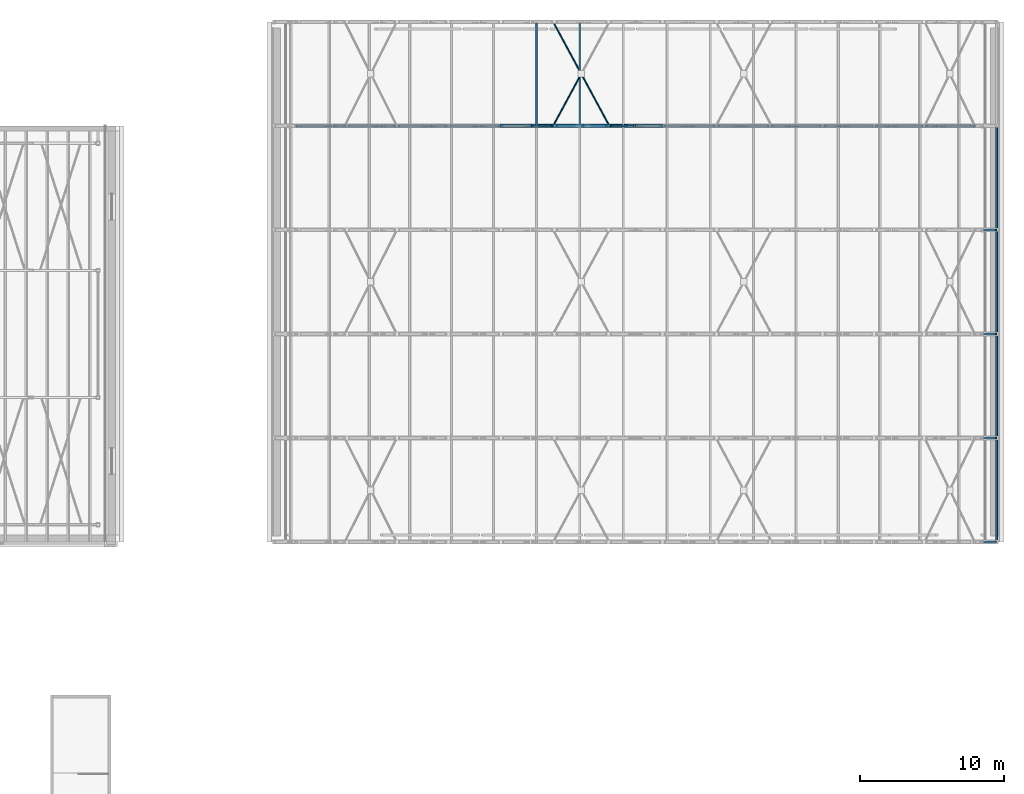
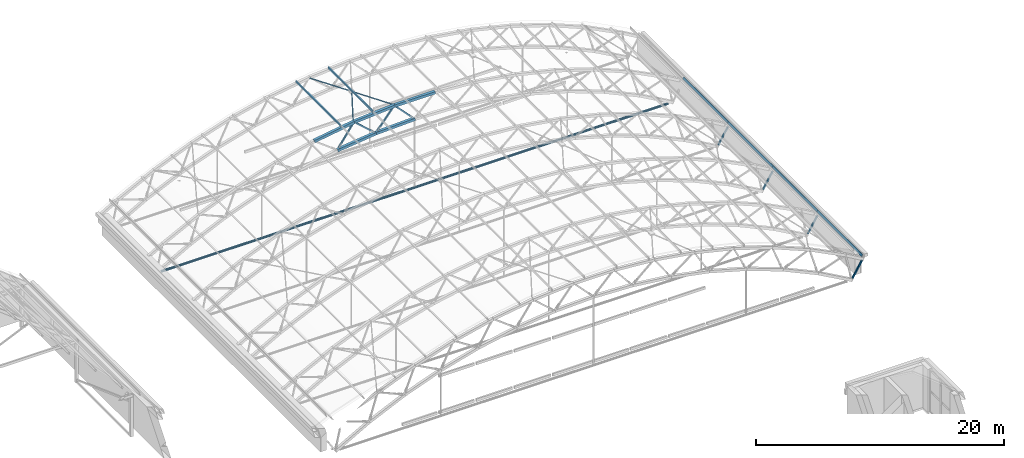
# One storey, part 62 of 127: 22 members.
"""IFC4 building model written with IfcOpenShell, lengths in metres."""

import ifcopenshell
import ifcopenshell.guid

model = None  # the IFC model being written
_history = None  # IfcOwnerHistory: only IFC2X3 demands one
_inside = {}  # id of a spatial element -> (the spatial element, [elements in it])
_under = {}  # id of a project, library or spatial element -> (it, [spatial elements below it])
_declared = {}  # id of a project -> (the project, [libraries it declares])
_typed = {}  # id of a type object -> (the type object, [elements of that type])
_made_of = {}  # id of a material, layer set ... -> (it, [elements and type objects made of it])


def new_model(schema):
    """Start an empty IFC model of exactly this schema.

    Asked for "IFC4X3", IfcOpenShell would pick the latest addendum, in which some entities
    have other attributes; the version numbers below select the first issue.
    IFC2X3 requires an IfcOwnerHistory on every rooted entity: one is made here for all.
    """
    global model, _history
    if schema == "IFC4X3":
        model = ifcopenshell.file(schema_version=(4, 3, 0, 0))
    else:
        model = ifcopenshell.file(schema=schema)
    _inside.clear()
    _under.clear()
    _declared.clear()
    _typed.clear()
    _made_of.clear()
    _history = None
    if model.schema == "IFC2X3":
        org = make("IfcOrganization", Name="unknown")
        user = make(
            "IfcPersonAndOrganization",
            ThePerson=make("IfcPerson", FamilyName="unknown"),
            TheOrganization=org,
        )
        app = make(
            "IfcApplication",
            ApplicationDeveloper=org,
            Version="unknown",
            ApplicationFullName="unknown",
            ApplicationIdentifier="unknown",
        )
        _history = make(
            "IfcOwnerHistory",
            OwningUser=user,
            OwningApplication=app,
            ChangeAction="ADDED",
            CreationDate=0,
        )
    return model


def make(cls, **values):
    """One entity of the class cls with the attributes given. An attribute that is None is left unset."""
    return model.create_entity(
        cls, **{name: value for name, value in values.items() if value is not None}
    )


def rooted(cls, **values):
    """An entity with a GlobalId (a new one), such as an element, a storey or a relation."""
    return make(cls, GlobalId=ifcopenshell.guid.new(), OwnerHistory=_history, **values)


def si_unit(unit_type, name, prefix=None):
    """IfcSIUnit, for example si_unit("LENGTHUNIT", "METRE", prefix="MILLI")."""
    return make("IfcSIUnit", UnitType=unit_type, Prefix=prefix, Name=name)


def assignment(units):
    """IfcUnitAssignment: the units of a project."""
    return None if units is None else make("IfcUnitAssignment", Units=units)


def point(xyz):
    """IfcCartesianPoint."""
    return None if xyz is None else make("IfcCartesianPoint", Coordinates=xyz)


def direction(xyz):
    """IfcDirection."""
    return None if xyz is None else make("IfcDirection", DirectionRatios=xyz)


def frame(location, z_axis=None, x_axis=None):
    """IfcAxis2Placement3D, a coordinate frame: its origin and axes. An axis left out is left unset."""
    return make(
        "IfcAxis2Placement3D",
        Location=point(location),
        Axis=direction(z_axis),
        RefDirection=direction(x_axis),
    )


def frame_2d(location, x_axis=None):
    """IfcAxis2Placement2D, a coordinate frame in the plane: its origin and x axis."""
    return make(
        "IfcAxis2Placement2D", Location=point(location), RefDirection=direction(x_axis)
    )


def origin():
    """The frame at (0, 0, 0) with its axes left unset."""
    return frame((0.0, 0.0, 0.0))


def origin_2d():
    """The frame at (0, 0) in the plane with its x axis left unset."""
    return frame_2d((0.0, 0.0))


def place(relative_to, where):
    """IfcLocalPlacement: puts the frame where relative to a parent placement (None: the world)."""
    return make(
        "IfcLocalPlacement", PlacementRelTo=relative_to, RelativePlacement=where
    )


def context(
    kind, dimensions, precision=None, world=None, true_north=None, identifier=None
):
    """IfcGeometricRepresentationContext, for example the 3D "Model" context."""
    return make(
        "IfcGeometricRepresentationContext",
        ContextIdentifier=identifier,
        ContextType=kind,
        CoordinateSpaceDimension=dimensions,
        Precision=precision,
        WorldCoordinateSystem=world,
        TrueNorth=true_north,
    )


def subcontext(parent, identifier, kind, view, scale=None):
    """IfcGeometricRepresentationSubContext, for example "Body" below "Model"."""
    return make(
        "IfcGeometricRepresentationSubContext",
        ContextIdentifier=identifier,
        ContextType=kind,
        ParentContext=parent,
        TargetScale=scale,
        TargetView=view,
    )


def project(units=None, contexts=None):
    """IfcProject with its units and contexts."""
    return rooted(
        "IfcProject",
        Name="project",
        RepresentationContexts=contexts,
        UnitsInContext=assignment(units),
    )


def spatial(cls, under=None, at=None, **own):
    """A site, building, storey or space (cls), placed at a placement, below another one or the project."""
    s = rooted(cls, ObjectPlacement=at, **own)
    if under is not None:
        _under.setdefault(under.id(), (under, []))[1].append(s)
    return s


def profile(cls, at=None, kind="AREA", **sizes):
    """A parametric profile (cls). Its sizes go by their IFC names, for example OverallWidth=200.0."""
    return make(cls, ProfileType=kind, Position=at, **sizes)


def hollow_rectangle(**sizes):
    """IfcRectangleHollowProfileDef."""
    return profile("IfcRectangleHollowProfileDef", **sizes)


def hollow_circle(**sizes):
    """IfcCircleHollowProfileDef."""
    return profile("IfcCircleHollowProfileDef", **sizes)


def extrude(swept, where, along, depth):
    """IfcExtrudedAreaSolid: the profile swept, set in the frame where, extruded along a direction by depth."""
    return make(
        "IfcExtrudedAreaSolid",
        SweptArea=swept,
        Position=where,
        ExtrudedDirection=direction(along),
        Depth=depth,
    )


def shape(context_of_items, identifier, shape_type, items):
    """IfcShapeRepresentation: the items that make up one representation, for example the "Body"."""
    return make(
        "IfcShapeRepresentation",
        ContextOfItems=context_of_items,
        RepresentationIdentifier=identifier,
        RepresentationType=shape_type,
        Items=items,
    )


def material(Name=None, Category=None):
    """IfcMaterial."""
    return make("IfcMaterial", Name=Name, Category=Category)


def material_profile(
    of_material, cross_section, Name=None, Category=None, Priority=None
):
    """IfcMaterialProfile: a cross section and its material."""
    return make(
        "IfcMaterialProfile",
        Name=Name,
        Material=of_material,
        Profile=cross_section,
        Priority=Priority,
        Category=Category,
    )


def profile_set(profiles, Name=None, composite=None):
    """IfcMaterialProfileSet."""
    return make(
        "IfcMaterialProfileSet",
        Name=Name,
        MaterialProfiles=profiles,
        CompositeProfile=composite,
    )


def made_of(thing, what):
    """Note that an element or type object is made of a material, layer set ...; save() writes the relation."""
    if what is not None:
        _made_of.setdefault(what.id(), (what, []))[1].append(thing)
    return thing


def type_object(cls, material=None, **own):
    """A type object (cls), such as IfcWallType, which elements share."""
    return made_of(rooted(cls, **own), material)


def element(
    cls,
    number,
    at=None,
    inside=None,
    cuts=None,
    type_object=None,
    material=None,
    context=None,
    identifier="Body",
    shape_type=None,
    held_by="IfcProductDefinitionShape",
    body=None,
    shapes=None,
    **own,
):
    """One element of the class cls, such as IfcWall. Its Tag is "e" and its number.

    at: its placement. inside: the storey or other place that contains it. cuts: it is an
    opening in that element (IfcRelVoidsElement). A single representation is given by context,
    identifier, shape_type and body (its items); several are given by shapes. held_by: the class
    of the entity that holds the representations. save() writes the other relations.
    """
    e = rooted(cls, Tag="e%d" % number, ObjectPlacement=at, **own)
    if body is not None:
        shapes = [shape(context, identifier, shape_type, body)]
    if shapes is not None:
        e.Representation = make(held_by, Representations=shapes)
    if inside is not None:
        _inside.setdefault(inside.id(), (inside, []))[1].append(e)
    if cuts is not None:
        rooted(
            "IfcRelVoidsElement", RelatingBuildingElement=cuts, RelatedOpeningElement=e
        )
    if type_object is not None:
        _typed.setdefault(type_object.id(), (type_object, []))[1].append(e)
    return made_of(e, material)


def aggregate(whole, parts):
    """IfcRelAggregates: a whole, such as a stair, and the parts it consists of."""
    return rooted("IfcRelAggregates", RelatingObject=whole, RelatedObjects=parts)


def save(model, path):
    """Write the relations noted so far, then the file.

    IfcRelAggregates (storeys below a building ...), IfcRelContainedInSpatialStructure (elements
    in a storey), IfcRelDefinesByType, IfcRelAssociatesMaterial and IfcRelDeclares: one each for
    every whole, place, type object, material and project.
    """
    for whole, parts in _under.values():
        aggregate(whole, parts)
    for where, things in _inside.values():
        rooted(
            "IfcRelContainedInSpatialStructure",
            RelatedElements=things,
            RelatingStructure=where,
        )
    for kind, things in _typed.values():
        rooted("IfcRelDefinesByType", RelatedObjects=things, RelatingType=kind)
    for what, things in _made_of.values():
        rooted("IfcRelAssociatesMaterial", RelatedObjects=things, RelatingMaterial=what)
    for by, libraries in _declared.values():
        rooted("IfcRelDeclares", RelatingContext=by, RelatedDefinitions=libraries)
    model.write(path)


model = new_model("IFC4")

# Units and contexts
model_context = context("Model", 3, precision=1e-05, world=origin(), true_north=direction((0.0, 1.0)))
body_context = subcontext(model_context, "Body", "Model", "MODEL_VIEW")
ifc_project = project(units=[si_unit("LENGTHUNIT", "METRE"), si_unit("AREAUNIT", "SQUARE_METRE"), si_unit("VOLUMEUNIT", "CUBIC_METRE"), si_unit("PLANEANGLEUNIT", "RADIAN"), si_unit("MASSUNIT", "GRAM", prefix="KILO")], contexts=[model_context])

# Site, building, storey
site_placement = place(None, origin())
site = spatial("IfcSite", under=ifc_project, at=site_placement, CompositionType="ELEMENT")
building_placement = place(site_placement, origin())
building = spatial("IfcBuilding", under=site, at=building_placement, Name="Verrick Yard Athletic Hall", CompositionType="ELEMENT")
storey_placement = place(building_placement, frame((0.0, 0.0, 14.0)))
storey = spatial("IfcBuildingStorey", under=building, at=storey_placement, Name="L03", CompositionType="ELEMENT", Elevation=14.0)

# Members
ifc_material = material(Name="Structural steel HSS Class C 350W (CSA G40.20/G40.21)", Category="steel")
ifc_material_profile_1 = material_profile(ifc_material, hollow_rectangle(XDim=0.25390625, YDim=0.25390625, WallThickness=0.009521484375, at=origin_2d()), Name="HSS254x254x9.5")
ifc_profile_set_1 = profile_set([ifc_material_profile_1], Name="Structural steel HSS Class C 350W (CSA G40.20/G40.21)")
member_type_1 = type_object("IfcMemberType", Name="HB bottom chord HSS254x254x9.5", PredefinedType="CHORD", material=ifc_profile_set_1)
member_1_placement = place(storey_placement, frame((138.42041015625, 100.800048828125, 6.193359375), z_axis=(0.993094882284, 0.0, 0.117313915545), x_axis=(0.0, 1.0, 0.0)))
element("IfcMember", 1, at=member_1_placement, inside=storey, type_object=member_type_1, Name="Truss TA5 bottom chord 6", PredefinedType="CHORD", context=body_context, shape_type="SweptSolid", body=[
    extrude(hollow_rectangle(XDim=0.25390625, YDim=0.25390625, WallThickness=0.009521484375, at=origin_2d()), origin(), (0.0, 0.0, 1.0), 3.59619140625),
])
member_2_placement = place(storey_placement, frame((142.001708984375, 100.800048828125, 6.615966796875), z_axis=(0.999229759959, 0.0, 0.039241391579), x_axis=(0.0, 1.0, 0.0)))
element("IfcMember", 2, at=member_2_placement, inside=storey, type_object=member_type_1, Name="Truss TA5 bottom chord 7", PredefinedType="CHORD", context=body_context, shape_type="SweptSolid", body=[
    extrude(hollow_rectangle(XDim=0.25390625, YDim=0.25390625, WallThickness=0.009521484375, at=origin_2d()), origin(), (0.0, 0.0, 1.0), 3.595947265625),
])
ifc_material_profile_2 = material_profile(ifc_material, hollow_rectangle(XDim=0.1015625, YDim=0.203125, WallThickness=0.009521484375, at=origin_2d()), Name="HSS203x102x9.5")
ifc_profile_set_2 = profile_set([ifc_material_profile_2], Name="Structural steel HSS Class C 350W (CSA G40.20/G40.21)")
member_type_2 = type_object("IfcMemberType", Name="HB purlin HSS203x102x9.5", PredefinedType="PURLIN", material=ifc_profile_set_2)
for number, where, z_axis, x_axis, name in (
    (3, (170.60302734375, 72.0, 1.99462890625), (0.0, 1.0, 0.0), (-0.86316809178, 0.0, 0.504916671673), "HB-PU-A-1-18"),
    (4, (170.60302734375, 79.199951171875, 1.99462890625), (0.0, 1.0, 0.0), (-0.86316809178, 0.0, 0.504916671673), "HB-PU-A-2-18"),
):
    element("IfcMember", number, at=place(storey_placement, frame(where, z_axis=z_axis, x_axis=x_axis)), inside=storey, type_object=member_type_2, Name=name, PredefinedType="PURLIN", context=body_context, shape_type="SweptSolid", body=[
        extrude(hollow_rectangle(XDim=0.1015625, YDim=0.203125, WallThickness=0.009521484375, at=origin_2d()), origin(), (0.0, 0.0, 1.0), 7.199951171875),
    ])
member_3_placement = place(storey_placement, frame((170.60302734375, 86.39990234375, 1.99462890625), z_axis=(0.0, 1.0, 0.0), x_axis=(-0.86316809178, 0.0, 0.504916671673)))
element("IfcMember", 5, at=member_3_placement, inside=storey, type_object=member_type_2, Name="HB-PU-A-3-18", PredefinedType="PURLIN", context=body_context, shape_type="SweptSolid", body=[
    extrude(hollow_rectangle(XDim=0.1015625, YDim=0.203125, WallThickness=0.009521484375, at=origin_2d()), origin(), (0.0, 0.0, 1.0), 7.2001953125),
])
for number, where, z_axis, x_axis, name in (
    (6, (170.60302734375, 93.60009765625, 1.99462890625), (0.0, 1.0, 0.0), (-0.86316809178, 0.0, 0.504916671673), "HB-PU-A-4-18"),
    (7, (138.750244140625, 100.800048828125, 8.464599609375), (0.0, 1.0, 0.0), (-0.987728086354, 0.0, -0.156183313539), "HB-PU-A-5-7"),
    (8, (141.747802734375, 100.800048828125, 8.794677734375), (0.0, 1.0, 0.0), (-0.996927304266, 0.0, -0.078332305011), "HB-PU-A-5-8"),
):
    element("IfcMember", number, at=place(storey_placement, frame(where, z_axis=z_axis, x_axis=x_axis)), inside=storey, type_object=member_type_2, Name=name, PredefinedType="PURLIN", context=body_context, shape_type="SweptSolid", body=[
        extrude(hollow_rectangle(XDim=0.1015625, YDim=0.203125, WallThickness=0.009521484375, at=origin_2d()), origin(), (0.0, 0.0, 1.0), 7.199951171875),
    ])
ifc_material_profile_3 = material_profile(ifc_material, hollow_circle(Radius=0.05712890625, WallThickness=0.00634765625, at=origin_2d()), Name="HSS114x6.4")
ifc_profile_set_3 = profile_set([ifc_material_profile_3], Name="Structural steel HSS Class C 350W (CSA G40.20/G40.21)")
member_type_3 = type_object("IfcMemberType", Name="HB roof brace HSS114x6.4", PredefinedType="BRACE", material=ifc_profile_set_3)
member_4_placement = place(storey_placement, frame((139.96728515625, 100.927001953125, 8.425537109375), z_axis=(0.474853047314, 0.879275169194, 0.037279488936), x_axis=(-0.87988679764, 0.475183357599, 0.0)))
element("IfcMember", 9, at=member_4_placement, inside=storey, type_object=member_type_3, Name="HB-BR-A-5-5b1", PredefinedType="BRACE", context=body_context, shape_type="SweptSolid", body=[
    extrude(hollow_circle(Radius=0.05712890625, WallThickness=0.00634765625, at=origin_2d()), origin(), (0.0, 0.0, 1.0), 3.84423828125),
])
member_5_placement = place(storey_placement, frame((143.718505859375, 100.927001953125, 8.72021484375), z_axis=(-0.474853160212, 0.879274146514, -0.037302164945), x_axis=(-0.879886519322, -0.475183872953, 0.0)))
element("IfcMember", 10, at=member_5_placement, inside=storey, type_object=member_type_3, Name="HB-BR-A-5-5a", PredefinedType="BRACE", context=body_context, shape_type="SweptSolid", body=[
    extrude(hollow_circle(Radius=0.05712890625, WallThickness=0.00634765625, at=origin_2d()), origin(), (0.0, 0.0, 1.0), 7.899658203125),
])
ifc_material_profile_4 = material_profile(ifc_material, hollow_circle(Radius=0.109619140625, WallThickness=0.0126953125, at=origin_2d()), Name="HSS219x13")
ifc_profile_set_4 = profile_set([ifc_material_profile_4], Name="Structural steel HSS Class C 350W (CSA G40.20/G40.21)")
member_type_4 = type_object("IfcMemberType", Name="HB tie rod HSS219x13", PredefinedType="MEMBER", material=ifc_profile_set_4)
member_6_placement = place(storey_placement, frame((122.056396484375, 100.800048828125, 0.0), z_axis=(1.0, 0.0, 0.0), x_axis=(0.0, 1.0, 0.0)))
element("IfcMember", 11, at=member_6_placement, inside=storey, type_object=member_type_4, Name="Truss TA5 tie 1", PredefinedType="MEMBER", context=body_context, shape_type="SweptSolid", body=[
    extrude(hollow_circle(Radius=0.109619140625, WallThickness=0.0126953125, at=origin_2d()), origin(), (0.0, 0.0, 1.0), 47.08740234375),
])
ifc_material_profile_5 = material_profile(ifc_material, hollow_rectangle(XDim=0.25390625, YDim=0.25390625, WallThickness=0.009521484375, at=origin_2d()), Name="HSS254x254x9.5")
ifc_profile_set_5 = profile_set([ifc_material_profile_5], Name="Structural steel HSS Class C 350W (CSA G40.20/G40.21)")
member_type_5 = type_object("IfcMemberType", Name="HB top chord HSS254x254x9.5", PredefinedType="CHORD", material=ifc_profile_set_5)
for number, where, z_axis, x_axis, name in (
    (12, (136.255615234375, 100.800048828125, 7.838623046875), (0.987726014692, 0.0, 0.156196414495), (0.0, 1.0, 0.0), "Truss TA5 top chord 6"),
    (13, (139.97216796875, 100.800048828125, 8.426025390625), (0.996928028323, 0.0, 0.078323089468), (0.0, 1.0, 0.0), "Truss TA5 top chord 7"),
):
    element("IfcMember", number, at=place(storey_placement, frame(where, z_axis=z_axis, x_axis=x_axis)), inside=storey, type_object=member_type_5, Name=name, PredefinedType="CHORD", context=body_context, shape_type="SweptSolid", body=[
        extrude(hollow_rectangle(XDim=0.25390625, YDim=0.25390625, WallThickness=0.009521484375, at=origin_2d()), origin(), (0.0, 0.0, 1.0), 3.7529296875),
    ])
member_7_placement = place(storey_placement, frame((143.7236328125, 100.800048828125, 8.72021484375), z_axis=(1.0, 0.0, 0.0), x_axis=(0.0, 1.0, 0.0)))
element("IfcMember", 14, at=member_7_placement, inside=storey, type_object=member_type_5, Name="Truss TA5 top chord 8", PredefinedType="CHORD", context=body_context, shape_type="SweptSolid", body=[
    extrude(hollow_rectangle(XDim=0.25390625, YDim=0.25390625, WallThickness=0.009521484375, at=origin_2d()), origin(), (0.0, 0.0, 1.0), 3.752685546875),
])
ifc_material_profile_6 = material_profile(ifc_material, hollow_rectangle(XDim=0.126953125, YDim=0.126953125, WallThickness=0.009521484375, at=origin_2d()), Name="HSS127x127x9.5")
ifc_profile_set_6 = profile_set([ifc_material_profile_6], Name="Structural steel HSS Class C 350W (CSA G40.20/G40.21)")
member_type_6 = type_object("IfcMemberType", Name="HB truss end post HSS127x127x9.5", PredefinedType="POST", material=ifc_profile_set_6)
for number, where, z_axis, x_axis, name in (
    (15, (169.667724609375, 72.0, 0.110595703125), (0.521773101112, 0.0, 0.853084304718), (0.0, 1.0, 0.0), "Truss TA1 end post 2"),
    (16, (169.667724609375, 79.199951171875, 0.110595703125), (0.521773101112, 0.0, 0.853084304718), (0.0, 1.0, 0.0), "Truss TA2 end post 2"),
    (17, (169.667724609375, 86.39990234375, 0.110595703125), (0.521773101112, 0.0, 0.853084304718), (0.0, 1.0, 0.0), "Truss TA3 end post 2"),
    (18, (169.667724609375, 93.60009765625, 0.110595703125), (0.521773101112, 0.0, 0.853084304718), (0.0, 1.0, 0.0), "Truss TA4 end post 2"),
):
    element("IfcMember", number, at=place(storey_placement, frame(where, z_axis=z_axis, x_axis=x_axis)), inside=storey, type_object=member_type_6, Name=name, PredefinedType="POST", context=body_context, shape_type="SweptSolid", body=[
        extrude(hollow_rectangle(XDim=0.126953125, YDim=0.126953125, WallThickness=0.009521484375, at=origin_2d()), origin(), (0.0, 0.0, 1.0), 1.741943359375),
    ])
ifc_material_profile_7 = material_profile(ifc_material, hollow_rectangle(XDim=0.126953125, YDim=0.126953125, WallThickness=0.009521484375, at=origin_2d()), Name="HSS127x127x9.5")
ifc_profile_set_7 = profile_set([ifc_material_profile_7], Name="Structural steel HSS Class C 350W (CSA G40.20/G40.21)")
member_type_7 = type_object("IfcMemberType", Name="HB truss web HSS127x127x9.5", PredefinedType="BRACE", material=ifc_profile_set_7)
for number, where, z_axis, x_axis, name in (
    (19, (138.5576171875, 100.800048828125, 6.39697265625), (0.570664111571, 0.0, 0.821183579819), (0.0, 1.0, 0.0), "Truss TA5 web 11"),
    (20, (140.14404296875, 100.800048828125, 8.26806640625), (0.746340924984, 0.0, -0.665563838932), (0.0, 1.0, 0.0), "Truss TA5 web 12"),
    (21, (142.154296875, 100.800048828125, 6.808349609375), (0.633202076169, 0.0, 0.773986518445), (0.0, 1.0, 0.0), "Truss TA5 web 13"),
    (22, (143.88232421875, 100.800048828125, 8.54931640625), (0.691974203846, 0.0, -0.721922226568), (0.0, 1.0, 0.0), "Truss TA5 web 14"),
):
    element("IfcMember", number, at=place(storey_placement, frame(where, z_axis=z_axis, x_axis=x_axis)), inside=storey, type_object=member_type_7, Name=name, PredefinedType="BRACE", context=body_context, shape_type="SweptSolid", body=[
        extrude(hollow_rectangle(XDim=0.126953125, YDim=0.126953125, WallThickness=0.009521484375, at=origin_2d()), origin(), (0.0, 0.0, 1.0), 2.233642578125),
    ])

save(model, "model.ifc")
